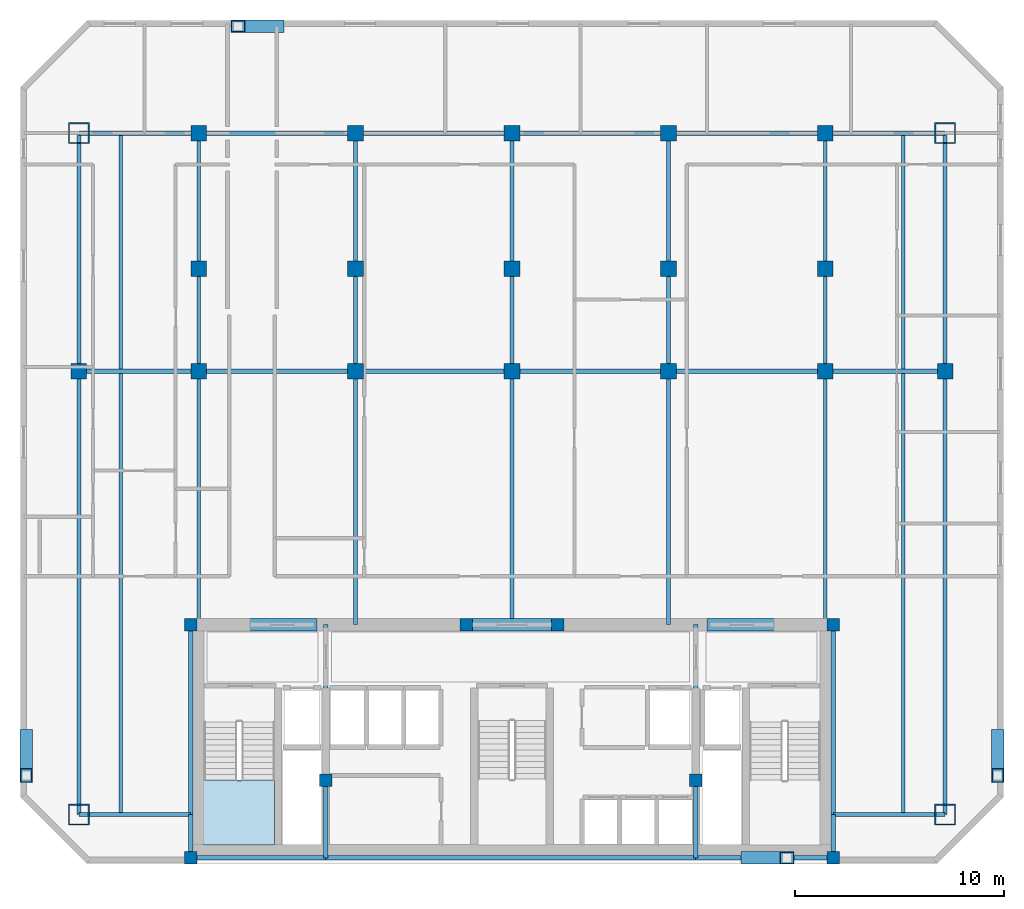
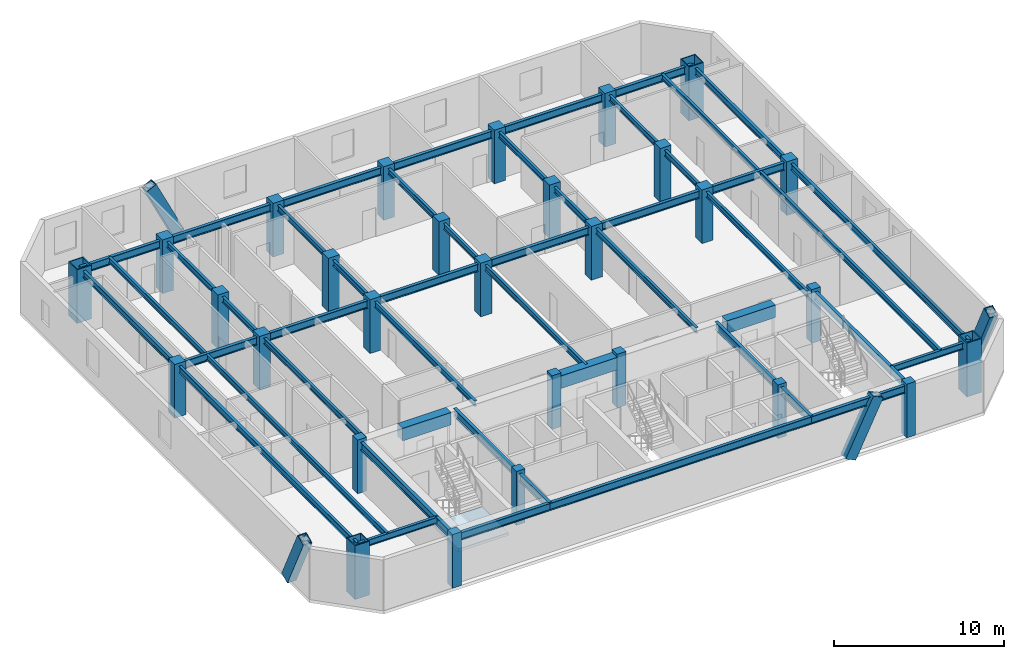
# One storey, part 1 of 7: 46 beams, 29 columns, 4 members, 1 slab, 1 element without a shape of its own.
"""IFC4 building model written with IfcOpenShell, lengths in metres."""

from ifc_helpers import new_model, si_unit, direction, frame, origin, origin_2d, place, context, subcontext, project, spatial, polyline, rectangle, hollow_rectangle, i_section, outline, extrude, material, layer, layer_set, material_profile, profile_set, type_object, element, aggregate, save


model = new_model("IFC4")

# Units and contexts
model_context = context("Model", 3, precision=1e-05, world=origin(), true_north=direction((0.0, 1.0)))
body_context = subcontext(model_context, "Body", "Model", "MODEL_VIEW")
ifc_project = project(units=[si_unit("LENGTHUNIT", "METRE"), si_unit("AREAUNIT", "SQUARE_METRE"), si_unit("VOLUMEUNIT", "CUBIC_METRE"), si_unit("PLANEANGLEUNIT", "RADIAN"), si_unit("MASSUNIT", "GRAM", prefix="KILO")], contexts=[model_context])

# Site, building, storey
site_placement = place(None, origin())
site = spatial("IfcSite", under=ifc_project, at=site_placement, CompositionType="ELEMENT")
building_placement = place(site_placement, origin())
building = spatial("IfcBuilding", under=site, at=building_placement, Name="Ventersveld Concourse Tower", CompositionType="ELEMENT")
storey_placement = place(building_placement, frame((0.0, 0.0, 211.85009765625)))
storey = spatial("IfcBuildingStorey", under=building, at=storey_placement, Name="L52", CompositionType="ELEMENT", Elevation=211.85009765625)

# Columns
ifc_material_1 = material(Name="Concrete C50/60", Category="concrete")
ifc_material_profile_1 = material_profile(ifc_material_1, rectangle(XDim=0.60009765625, YDim=0.60009765625, at=origin_2d()), Name="RC 600x600")
ifc_profile_set_1 = profile_set([ifc_material_profile_1], Name="Concrete C50/60")
column_type_1 = type_object("IfcColumnType", Name="COL-RC600", PredefinedType="COLUMN", material=ifc_profile_set_1)
for number, where, z_axis, x_axis, name in (
    (1, (13.35009765625, 0.280029296875, 0.0), (0.0, 0.0, 1.0), (1.0, 0.0, 0.0), "L52 Core Spine Column CC-SW"),
    (2, (44.14990234375, 0.280029296875, 0.0), (0.0, 0.0, 1.0), (1.0, 0.0, 0.0), "L52 Core Spine Column CC-SE"),
    (3, (13.35009765625, 11.449951171875, 0.0), (0.0, 0.0, 1.0), (1.0, 0.0, 0.0), "L52 Core Spine Column CC-NW"),
    (4, (44.14990234375, 11.449951171875, 0.0), (0.0, 0.0, 1.0), (1.0, 0.0, 0.0), "L52 Core Spine Column CC-NE"),
    (5, (19.820068359375, 4.0, 0.0), (0.0, 0.0, 1.0), (1.0, 0.0, 0.0), "L52 Core Spine Column CM-1"),
    (6, (37.550048828125, 4.0, 0.0), (0.0, 0.0, 1.0), (1.0, 0.0, 0.0), "L52 Core Spine Column CM-2"),
    (7, (26.550048828125, 11.449951171875, 0.0), (0.0, 0.0, 1.0), (1.0, 0.0, 0.0), "L52 Core Spine Column CM-3"),
    (8, (30.949951171875, 11.449951171875, 0.0), (0.0, 0.0, 1.0), (1.0, 0.0, 0.0), "L52 Core Spine Column CM-4"),
):
    element("IfcColumn", number, at=place(storey_placement, frame(where, z_axis=z_axis, x_axis=x_axis)), inside=storey, type_object=column_type_1, Name=name, PredefinedType="COLUMN", context=body_context, shape_type="SweptSolid", body=[
        extrude(rectangle(XDim=0.60009765625, YDim=0.60009765625, at=origin_2d()), origin(), (0.0, 0.0, 1.0), 3.849853515625),
    ])
ifc_material_profile_2 = material_profile(ifc_material_1, rectangle(XDim=0.75, YDim=0.75, at=origin_2d()), Name="RC 750x750")
ifc_profile_set_2 = profile_set([ifc_material_profile_2], Name="Concrete C50/60")
column_type_2 = type_object("IfcColumnType", Name="COL-RC750", PredefinedType="COLUMN", material=ifc_profile_set_2)
for number, where, z_axis, x_axis, name in (
    (9, (8.0, 23.60009765625, 0.0), (0.0, 0.0, 1.0), (1.0, 0.0, 0.0), "L52 Interior Gravity Column X=8.00 Y=23.60"),
    (10, (13.75, 23.60009765625, 0.0), (0.0, 0.0, 1.0), (1.0, 0.0, 0.0), "L52 Interior Gravity Column X=13.75 Y=23.60"),
    (11, (21.25, 23.60009765625, 0.0), (0.0, 0.0, 1.0), (1.0, 0.0, 0.0), "L52 Interior Gravity Column X=21.25 Y=23.60"),
    (12, (28.75, 23.60009765625, 0.0), (0.0, 0.0, 1.0), (1.0, 0.0, 0.0), "L52 Interior Gravity Column X=28.75 Y=23.60"),
    (13, (36.25, 23.60009765625, 0.0), (0.0, 0.0, 1.0), (1.0, 0.0, 0.0), "L52 Interior Gravity Column X=36.25 Y=23.60"),
    (14, (43.75, 23.60009765625, 0.0), (0.0, 0.0, 1.0), (1.0, 0.0, 0.0), "L52 Interior Gravity Column X=43.75 Y=23.60"),
    (15, (49.5, 23.60009765625, 0.0), (0.0, 0.0, 1.0), (1.0, 0.0, 0.0), "L52 Interior Gravity Column X=49.50 Y=23.60"),
    (16, (13.75, 28.5, 0.0), (0.0, 0.0, 1.0), (1.0, 0.0, 0.0), "L52 Upper-North Gravity Column X=13.75 Y=28.50"),
    (17, (21.25, 28.5, 0.0), (0.0, 0.0, 1.0), (1.0, 0.0, 0.0), "L52 Upper-North Gravity Column X=21.25 Y=28.50"),
    (18, (28.75, 28.5, 0.0), (0.0, 0.0, 1.0), (1.0, 0.0, 0.0), "L52 Upper-North Gravity Column X=28.75 Y=28.50"),
    (19, (36.25, 28.5, 0.0), (0.0, 0.0, 1.0), (1.0, 0.0, 0.0), "L52 Upper-North Gravity Column X=36.25 Y=28.50"),
    (20, (43.75, 28.5, 0.0), (0.0, 0.0, 1.0), (1.0, 0.0, 0.0), "L52 Upper-North Gravity Column X=43.75 Y=28.50"),
    (21, (13.75, 35.0, 0.0), (0.0, 0.0, 1.0), (1.0, 0.0, 0.0), "L52 Mid-North Column X=13.75 Y=35.00"),
    (22, (21.25, 35.0, 0.0), (0.0, 0.0, 1.0), (1.0, 0.0, 0.0), "L52 Mid-North Column X=21.25 Y=35.00"),
    (23, (28.75, 35.0, 0.0), (0.0, 0.0, 1.0), (1.0, 0.0, 0.0), "L52 Mid-North Column X=28.75 Y=35.00"),
    (24, (36.25, 35.0, 0.0), (0.0, 0.0, 1.0), (1.0, 0.0, 0.0), "L52 Mid-North Column X=36.25 Y=35.00"),
    (25, (43.75, 35.0, 0.0), (0.0, 0.0, 1.0), (1.0, 0.0, 0.0), "L52 Mid-North Column X=43.75 Y=35.00"),
):
    element("IfcColumn", number, at=place(storey_placement, frame(where, z_axis=z_axis, x_axis=x_axis)), inside=storey, type_object=column_type_2, Name=name, PredefinedType="COLUMN", context=body_context, shape_type="SweptSolid", body=[
        extrude(rectangle(XDim=0.75, YDim=0.75, at=origin_2d()), origin(), (0.0, 0.0, 1.0), 3.849853515625),
    ])
ifc_material_2 = material(Name="Structural steel S460ML", Category="steel")
ifc_material_profile_3 = material_profile(ifc_material_2, hollow_rectangle(XDim=1.0, YDim=1.0, WallThickness=0.06005859375, at=origin_2d()), Name="BOX 1000x1000x60")
ifc_profile_set_3 = profile_set([ifc_material_profile_3], Name="Structural steel S460ML")
column_type_3 = type_object("IfcColumnType", Name="MC-1000", PredefinedType="USERDEFINED", material=ifc_profile_set_3)
for number, where, z_axis, x_axis, name in (
    (26, (8.0, 2.35009765625, 0.0), (0.0, 0.0, 1.0), (1.0, 0.0, 0.0), "L52 Corner Mega-Column MC-SW"),
    (27, (49.5, 2.35009765625, 0.0), (0.0, 0.0, 1.0), (1.0, 0.0, 0.0), "L52 Corner Mega-Column MC-SE"),
    (28, (49.5, 35.0, 0.0), (0.0, 0.0, 1.0), (1.0, 0.0, 0.0), "L52 Corner Mega-Column MC-NE"),
    (29, (8.0, 35.0, 0.0), (0.0, 0.0, 1.0), (1.0, 0.0, 0.0), "L52 Corner Mega-Column MC-NW"),
):
    element("IfcColumn", number, at=place(storey_placement, frame(where, z_axis=z_axis, x_axis=x_axis)), inside=storey, type_object=column_type_3, Name=name, ObjectType="MEGA_COLUMN", PredefinedType="USERDEFINED", context=body_context, shape_type="SweptSolid", body=[
        extrude(hollow_rectangle(XDim=1.0, YDim=1.0, WallThickness=0.06005859375, at=origin_2d()), origin(), (0.0, 0.0, 1.0), 3.849853515625),
    ])

# Beams
ifc_material_3 = material(Name="Structural steel S355J2", Category="steel")
ifc_material_profile_4 = material_profile(ifc_material_3, i_section(OverallWidth=0.177978515625, OverallDepth=0.406494140625, WebThickness=0.0078125, FlangeThickness=0.0126953125, FilletRadius=0.01025390625, at=origin_2d()), Name="UB 406x178x60")
ifc_profile_set_4 = profile_set([ifc_material_profile_4], Name="Structural steel S355J2")
beam_type_1 = type_object("IfcBeamType", Name="BM-UB406", PredefinedType="BEAM", material=ifc_profile_set_4)
beam_1_placement = place(storey_placement, frame((10.0, 2.35009765625, 3.4267578125), z_axis=(0.0, 1.0, 0.0), x_axis=(-1.0, 0.0, 0.0)))
element("IfcBeam", 30, at=beam_1_placement, inside=storey, type_object=beam_type_1, Name="L52 N-S Composite Floor Beam South X=10.00", PredefinedType="BEAM", context=body_context, shape_type="SweptSolid", body=[
    extrude(i_section(OverallWidth=0.177978515625, OverallDepth=0.406494140625, WebThickness=0.0078125, FlangeThickness=0.0126953125, FilletRadius=0.01025390625, at=origin_2d()), origin(), (0.0, 0.0, 1.0), 21.15478515625),
])
beam_2_placement = place(storey_placement, frame((10.0, 23.695068359375, 3.4267578125), z_axis=(0.0, 1.0, 0.0), x_axis=(-1.0, 0.0, 0.0)))
element("IfcBeam", 31, at=beam_2_placement, inside=storey, type_object=beam_type_1, Name="L52 N-S Composite Floor Beam Mid X=10.00", PredefinedType="BEAM", context=body_context, shape_type="SweptSolid", body=[
    extrude(i_section(OverallWidth=0.177978515625, OverallDepth=0.406494140625, WebThickness=0.0078125, FlangeThickness=0.0126953125, FilletRadius=0.01025390625, at=origin_2d()), origin(), (0.0, 0.0, 1.0), 11.304931640625),
])
beam_3_placement = place(storey_placement, frame((13.75, 11.449951171875, 3.4267578125), z_axis=(0.0, 1.0, 0.0), x_axis=(-1.0, 0.0, 0.0)))
element("IfcBeam", 32, at=beam_3_placement, inside=storey, type_object=beam_type_1, Name="L52 N-S Composite Floor Beam South X=13.75", PredefinedType="BEAM", context=body_context, shape_type="SweptSolid", body=[
    extrude(i_section(OverallWidth=0.177978515625, OverallDepth=0.406494140625, WebThickness=0.0078125, FlangeThickness=0.0126953125, FilletRadius=0.01025390625, at=origin_2d()), origin(), (0.0, 0.0, 1.0), 12.150146484375),
])
beam_4_placement = place(storey_placement, frame((13.75, 23.60009765625, 3.4267578125), z_axis=(0.0, 1.0, 0.0), x_axis=(-1.0, 0.0, 0.0)))
element("IfcBeam", 33, at=beam_4_placement, inside=storey, type_object=beam_type_1, Name="L52 N-S Composite Floor Beam Mid X=13.75", PredefinedType="BEAM", context=body_context, shape_type="SweptSolid", body=[
    extrude(i_section(OverallWidth=0.177978515625, OverallDepth=0.406494140625, WebThickness=0.0078125, FlangeThickness=0.0126953125, FilletRadius=0.01025390625, at=origin_2d()), origin(), (0.0, 0.0, 1.0), 11.39990234375),
])
beam_5_placement = place(storey_placement, frame((21.25, 11.449951171875, 3.4267578125), z_axis=(0.0, 1.0, 0.0), x_axis=(-1.0, 0.0, 0.0)))
element("IfcBeam", 34, at=beam_5_placement, inside=storey, type_object=beam_type_1, Name="L52 N-S Composite Floor Beam South X=21.25", PredefinedType="BEAM", context=body_context, shape_type="SweptSolid", body=[
    extrude(i_section(OverallWidth=0.177978515625, OverallDepth=0.406494140625, WebThickness=0.0078125, FlangeThickness=0.0126953125, FilletRadius=0.01025390625, at=origin_2d()), origin(), (0.0, 0.0, 1.0), 12.150146484375),
])
beam_6_placement = place(storey_placement, frame((21.25, 23.60009765625, 3.4267578125), z_axis=(0.0, 1.0, 0.0), x_axis=(-1.0, 0.0, 0.0)))
element("IfcBeam", 35, at=beam_6_placement, inside=storey, type_object=beam_type_1, Name="L52 N-S Composite Floor Beam Mid X=21.25", PredefinedType="BEAM", context=body_context, shape_type="SweptSolid", body=[
    extrude(i_section(OverallWidth=0.177978515625, OverallDepth=0.406494140625, WebThickness=0.0078125, FlangeThickness=0.0126953125, FilletRadius=0.01025390625, at=origin_2d()), origin(), (0.0, 0.0, 1.0), 11.39990234375),
])
beam_7_placement = place(storey_placement, frame((28.75, 11.449951171875, 3.4267578125), z_axis=(0.0, 1.0, 0.0), x_axis=(-1.0, 0.0, 0.0)))
element("IfcBeam", 36, at=beam_7_placement, inside=storey, type_object=beam_type_1, Name="L52 N-S Composite Floor Beam South X=28.75", PredefinedType="BEAM", context=body_context, shape_type="SweptSolid", body=[
    extrude(i_section(OverallWidth=0.177978515625, OverallDepth=0.406494140625, WebThickness=0.0078125, FlangeThickness=0.0126953125, FilletRadius=0.01025390625, at=origin_2d()), origin(), (0.0, 0.0, 1.0), 12.150146484375),
])
beam_8_placement = place(storey_placement, frame((28.75, 23.60009765625, 3.4267578125), z_axis=(0.0, 1.0, 0.0), x_axis=(-1.0, 0.0, 0.0)))
element("IfcBeam", 37, at=beam_8_placement, inside=storey, type_object=beam_type_1, Name="L52 N-S Composite Floor Beam Mid X=28.75", PredefinedType="BEAM", context=body_context, shape_type="SweptSolid", body=[
    extrude(i_section(OverallWidth=0.177978515625, OverallDepth=0.406494140625, WebThickness=0.0078125, FlangeThickness=0.0126953125, FilletRadius=0.01025390625, at=origin_2d()), origin(), (0.0, 0.0, 1.0), 11.39990234375),
])
beam_9_placement = place(storey_placement, frame((36.25, 11.449951171875, 3.4267578125), z_axis=(0.0, 1.0, 0.0), x_axis=(-1.0, 0.0, 0.0)))
element("IfcBeam", 38, at=beam_9_placement, inside=storey, type_object=beam_type_1, Name="L52 N-S Composite Floor Beam South X=36.25", PredefinedType="BEAM", context=body_context, shape_type="SweptSolid", body=[
    extrude(i_section(OverallWidth=0.177978515625, OverallDepth=0.406494140625, WebThickness=0.0078125, FlangeThickness=0.0126953125, FilletRadius=0.01025390625, at=origin_2d()), origin(), (0.0, 0.0, 1.0), 12.150146484375),
])
beam_10_placement = place(storey_placement, frame((36.25, 23.60009765625, 3.4267578125), z_axis=(0.0, 1.0, 0.0), x_axis=(-1.0, 0.0, 0.0)))
element("IfcBeam", 39, at=beam_10_placement, inside=storey, type_object=beam_type_1, Name="L52 N-S Composite Floor Beam Mid X=36.25", PredefinedType="BEAM", context=body_context, shape_type="SweptSolid", body=[
    extrude(i_section(OverallWidth=0.177978515625, OverallDepth=0.406494140625, WebThickness=0.0078125, FlangeThickness=0.0126953125, FilletRadius=0.01025390625, at=origin_2d()), origin(), (0.0, 0.0, 1.0), 11.39990234375),
])
beam_11_placement = place(storey_placement, frame((43.75, 11.449951171875, 3.4267578125), z_axis=(0.0, 1.0, 0.0), x_axis=(-1.0, 0.0, 0.0)))
element("IfcBeam", 40, at=beam_11_placement, inside=storey, type_object=beam_type_1, Name="L52 N-S Composite Floor Beam South X=43.75", PredefinedType="BEAM", context=body_context, shape_type="SweptSolid", body=[
    extrude(i_section(OverallWidth=0.177978515625, OverallDepth=0.406494140625, WebThickness=0.0078125, FlangeThickness=0.0126953125, FilletRadius=0.01025390625, at=origin_2d()), origin(), (0.0, 0.0, 1.0), 12.150146484375),
])
beam_12_placement = place(storey_placement, frame((43.75, 23.60009765625, 3.4267578125), z_axis=(0.0, 1.0, 0.0), x_axis=(-1.0, 0.0, 0.0)))
element("IfcBeam", 41, at=beam_12_placement, inside=storey, type_object=beam_type_1, Name="L52 N-S Composite Floor Beam Mid X=43.75", PredefinedType="BEAM", context=body_context, shape_type="SweptSolid", body=[
    extrude(i_section(OverallWidth=0.177978515625, OverallDepth=0.406494140625, WebThickness=0.0078125, FlangeThickness=0.0126953125, FilletRadius=0.01025390625, at=origin_2d()), origin(), (0.0, 0.0, 1.0), 11.39990234375),
])
beam_13_placement = place(storey_placement, frame((47.5, 2.35009765625, 3.4267578125), z_axis=(0.0, 1.0, 0.0), x_axis=(-1.0, 0.0, 0.0)))
element("IfcBeam", 42, at=beam_13_placement, inside=storey, type_object=beam_type_1, Name="L52 N-S Composite Floor Beam South X=47.50", PredefinedType="BEAM", context=body_context, shape_type="SweptSolid", body=[
    extrude(i_section(OverallWidth=0.177978515625, OverallDepth=0.406494140625, WebThickness=0.0078125, FlangeThickness=0.0126953125, FilletRadius=0.01025390625, at=origin_2d()), origin(), (0.0, 0.0, 1.0), 21.15478515625),
])
beam_14_placement = place(storey_placement, frame((47.5, 23.695068359375, 3.4267578125), z_axis=(0.0, 1.0, 0.0), x_axis=(-1.0, 0.0, 0.0)))
element("IfcBeam", 43, at=beam_14_placement, inside=storey, type_object=beam_type_1, Name="L52 N-S Composite Floor Beam Mid X=47.50", PredefinedType="BEAM", context=body_context, shape_type="SweptSolid", body=[
    extrude(i_section(OverallWidth=0.177978515625, OverallDepth=0.406494140625, WebThickness=0.0078125, FlangeThickness=0.0126953125, FilletRadius=0.01025390625, at=origin_2d()), origin(), (0.0, 0.0, 1.0), 11.304931640625),
])
ifc_material_profile_5 = material_profile(ifc_material_1, rectangle(XDim=0.60009765625, YDim=0.89990234375, at=origin_2d()), Name="RC 600x900")
ifc_profile_set_5 = profile_set([ifc_material_profile_5], Name="Concrete C50/60")
beam_type_2 = type_object("IfcBeamType", Name="CB-RC600x900U", PredefinedType="LINTEL", material=ifc_profile_set_5)
beam_15_placement = place(storey_placement, frame((16.10009765625, 11.449951171875, 3.179931640625), z_axis=(1.0, 0.0, 0.0), x_axis=(0.0, 1.0, 0.0)))
element("IfcBeam", 44, at=beam_15_placement, inside=storey, type_object=beam_type_2, Name="L52 Core Coupling Lintel Beam 1", PredefinedType="LINTEL", context=body_context, shape_type="SweptSolid", body=[
    extrude(rectangle(XDim=0.60009765625, YDim=0.89990234375, at=origin_2d()), origin(), (0.0, 0.0, 1.0), 3.2998046875),
])
beam_16_placement = place(storey_placement, frame((26.5, 11.449951171875, 3.179931640625), z_axis=(1.0, 0.0, 0.0), x_axis=(0.0, 1.0, 0.0)))
element("IfcBeam", 45, at=beam_16_placement, inside=storey, type_object=beam_type_2, Name="L52 Core Coupling Lintel Beam 2", PredefinedType="LINTEL", context=body_context, shape_type="SweptSolid", body=[
    extrude(rectangle(XDim=0.60009765625, YDim=0.89990234375, at=origin_2d()), origin(), (0.0, 0.0, 1.0), 4.5),
])
beam_17_placement = place(storey_placement, frame((38.10009765625, 11.449951171875, 3.179931640625), z_axis=(1.0, 0.0, 0.0), x_axis=(0.0, 1.0, 0.0)))
element("IfcBeam", 46, at=beam_17_placement, inside=storey, type_object=beam_type_2, Name="L52 Core Coupling Lintel Beam 3", PredefinedType="LINTEL", context=body_context, shape_type="SweptSolid", body=[
    extrude(rectangle(XDim=0.60009765625, YDim=0.89990234375, at=origin_2d()), origin(), (0.0, 0.0, 1.0), 3.2998046875),
])
ifc_material_profile_6 = material_profile(ifc_material_3, i_section(OverallWidth=0.2119140625, OverallDepth=0.54443359375, WebThickness=0.0126953125, FlangeThickness=0.021240234375, FilletRadius=0.0126953125, at=origin_2d()), Name="UB 533x210x122")
ifc_profile_set_6 = profile_set([ifc_material_profile_6], Name="Structural steel S355J2")
beam_type_3 = type_object("IfcBeamType", Name="GRD-UB533H", PredefinedType="T_BEAM", material=ifc_profile_set_6)
beam_18_placement = place(storey_placement, frame((13.35009765625, 0.280029296875, 3.357666015625), z_axis=(0.0, 1.0, 0.0), x_axis=(-1.0, 0.0, 0.0)))
element("IfcBeam", 47, at=beam_18_placement, inside=storey, type_object=beam_type_3, Name="L52 Core West Tie Beam S", PredefinedType="T_BEAM", context=body_context, shape_type="SweptSolid", body=[
    extrude(i_section(OverallWidth=0.2119140625, OverallDepth=0.54443359375, WebThickness=0.0126953125, FlangeThickness=0.021240234375, FilletRadius=0.0126953125, at=origin_2d()), origin(), (0.0, 0.0, 1.0), 2.070068359375),
])
beam_19_placement = place(storey_placement, frame((13.35009765625, 2.35009765625, 3.357666015625), z_axis=(0.0, 1.0, 0.0), x_axis=(-1.0, 0.0, 0.0)))
element("IfcBeam", 48, at=beam_19_placement, inside=storey, type_object=beam_type_3, Name="L52 Core West Tie Beam N", PredefinedType="T_BEAM", context=body_context, shape_type="SweptSolid", body=[
    extrude(i_section(OverallWidth=0.2119140625, OverallDepth=0.54443359375, WebThickness=0.0126953125, FlangeThickness=0.021240234375, FilletRadius=0.0126953125, at=origin_2d()), origin(), (0.0, 0.0, 1.0), 9.099853515625),
])
beam_20_placement = place(storey_placement, frame((44.14990234375, 0.280029296875, 3.357666015625), z_axis=(0.0, 1.0, 0.0), x_axis=(-1.0, 0.0, 0.0)))
element("IfcBeam", 49, at=beam_20_placement, inside=storey, type_object=beam_type_3, Name="L52 Core East Tie Beam S", PredefinedType="T_BEAM", context=body_context, shape_type="SweptSolid", body=[
    extrude(i_section(OverallWidth=0.2119140625, OverallDepth=0.54443359375, WebThickness=0.0126953125, FlangeThickness=0.021240234375, FilletRadius=0.0126953125, at=origin_2d()), origin(), (0.0, 0.0, 1.0), 2.070068359375),
])
beam_21_placement = place(storey_placement, frame((44.14990234375, 2.35009765625, 3.357666015625), z_axis=(0.0, 1.0, 0.0), x_axis=(-1.0, 0.0, 0.0)))
element("IfcBeam", 50, at=beam_21_placement, inside=storey, type_object=beam_type_3, Name="L52 Core East Tie Beam N", PredefinedType="T_BEAM", context=body_context, shape_type="SweptSolid", body=[
    extrude(i_section(OverallWidth=0.2119140625, OverallDepth=0.54443359375, WebThickness=0.0126953125, FlangeThickness=0.021240234375, FilletRadius=0.0126953125, at=origin_2d()), origin(), (0.0, 0.0, 1.0), 9.099853515625),
])
beam_22_placement = place(storey_placement, frame((13.35009765625, 0.280029296875, 3.357666015625), z_axis=(1.0, 0.0, 0.0), x_axis=(0.0, 1.0, 0.0)))
element("IfcBeam", 51, at=beam_22_placement, inside=storey, type_object=beam_type_3, Name="L52 Core South Tie Beam W", PredefinedType="T_BEAM", context=body_context, shape_type="SweptSolid", body=[
    extrude(i_section(OverallWidth=0.2119140625, OverallDepth=0.54443359375, WebThickness=0.0126953125, FlangeThickness=0.021240234375, FilletRadius=0.0126953125, at=origin_2d()), origin(), (0.0, 0.0, 1.0), 6.469970703125),
])
beam_23_placement = place(storey_placement, frame((19.820068359375, 0.280029296875, 3.357666015625), z_axis=(1.0, 0.0, 0.0), x_axis=(0.0, 1.0, 0.0)))
element("IfcBeam", 52, at=beam_23_placement, inside=storey, type_object=beam_type_3, Name="L52 Core South Tie Beam C", PredefinedType="T_BEAM", context=body_context, shape_type="SweptSolid", body=[
    extrude(i_section(OverallWidth=0.2119140625, OverallDepth=0.54443359375, WebThickness=0.0126953125, FlangeThickness=0.021240234375, FilletRadius=0.0126953125, at=origin_2d()), origin(), (0.0, 0.0, 1.0), 17.72998046875),
])
beam_24_placement = place(storey_placement, frame((37.550048828125, 0.280029296875, 3.357666015625), z_axis=(1.0, 0.0, 0.0), x_axis=(0.0, 1.0, 0.0)))
element("IfcBeam", 53, at=beam_24_placement, inside=storey, type_object=beam_type_3, Name="L52 Core South Tie Beam E", PredefinedType="T_BEAM", context=body_context, shape_type="SweptSolid", body=[
    extrude(i_section(OverallWidth=0.2119140625, OverallDepth=0.54443359375, WebThickness=0.0126953125, FlangeThickness=0.021240234375, FilletRadius=0.0126953125, at=origin_2d()), origin(), (0.0, 0.0, 1.0), 6.599853515625),
])
beam_25_placement = place(storey_placement, frame((19.820068359375, 0.280029296875, 3.357666015625), z_axis=(0.0, 1.0, 0.0), x_axis=(-1.0, 0.0, 0.0)))
element("IfcBeam", 54, at=beam_25_placement, inside=storey, type_object=beam_type_3, Name="L52 Core Spine N-S Tie Beam W1", PredefinedType="T_BEAM", context=body_context, shape_type="SweptSolid", body=[
    extrude(i_section(OverallWidth=0.2119140625, OverallDepth=0.54443359375, WebThickness=0.0126953125, FlangeThickness=0.021240234375, FilletRadius=0.0126953125, at=origin_2d()), origin(), (0.0, 0.0, 1.0), 3.719970703125),
])
beam_26_placement = place(storey_placement, frame((19.820068359375, 4.0, 3.357666015625), z_axis=(0.0, 1.0, 0.0), x_axis=(-1.0, 0.0, 0.0)))
element("IfcBeam", 55, at=beam_26_placement, inside=storey, type_object=beam_type_3, Name="L52 Core Spine N-S Tie Beam W2", PredefinedType="T_BEAM", context=body_context, shape_type="SweptSolid", body=[
    extrude(i_section(OverallWidth=0.2119140625, OverallDepth=0.54443359375, WebThickness=0.0126953125, FlangeThickness=0.021240234375, FilletRadius=0.0126953125, at=origin_2d()), origin(), (0.0, 0.0, 1.0), 7.449951171875),
])
beam_27_placement = place(storey_placement, frame((37.550048828125, 0.280029296875, 3.357666015625), z_axis=(0.0, 1.0, 0.0), x_axis=(-1.0, 0.0, 0.0)))
element("IfcBeam", 56, at=beam_27_placement, inside=storey, type_object=beam_type_3, Name="L52 Core Spine N-S Tie Beam E1", PredefinedType="T_BEAM", context=body_context, shape_type="SweptSolid", body=[
    extrude(i_section(OverallWidth=0.2119140625, OverallDepth=0.54443359375, WebThickness=0.0126953125, FlangeThickness=0.021240234375, FilletRadius=0.0126953125, at=origin_2d()), origin(), (0.0, 0.0, 1.0), 3.719970703125),
])
beam_28_placement = place(storey_placement, frame((37.550048828125, 4.0, 3.357666015625), z_axis=(0.0, 1.0, 0.0), x_axis=(-1.0, 0.0, 0.0)))
element("IfcBeam", 57, at=beam_28_placement, inside=storey, type_object=beam_type_3, Name="L52 Core Spine N-S Tie Beam E2", PredefinedType="T_BEAM", context=body_context, shape_type="SweptSolid", body=[
    extrude(i_section(OverallWidth=0.2119140625, OverallDepth=0.54443359375, WebThickness=0.0126953125, FlangeThickness=0.021240234375, FilletRadius=0.0126953125, at=origin_2d()), origin(), (0.0, 0.0, 1.0), 7.449951171875),
])
beam_29_placement = place(storey_placement, frame((8.0, 23.60009765625, 3.357666015625), z_axis=(1.0, 0.0, 0.0), x_axis=(0.0, 1.0, 0.0)))
element("IfcBeam", 58, at=beam_29_placement, inside=storey, type_object=beam_type_3, Name="L52 Primary E-W Grid Girder Y=23.60 #1", PredefinedType="T_BEAM", context=body_context, shape_type="SweptSolid", body=[
    extrude(i_section(OverallWidth=0.2119140625, OverallDepth=0.54443359375, WebThickness=0.0126953125, FlangeThickness=0.021240234375, FilletRadius=0.0126953125, at=origin_2d()), origin(), (0.0, 0.0, 1.0), 5.75),
])
for number, where, z_axis, x_axis, name in (
    (59, (13.75, 23.60009765625, 3.357666015625), (1.0, 0.0, 0.0), (0.0, 1.0, 0.0), "L52 Primary E-W Grid Girder Y=23.60 #2"),
    (60, (21.25, 23.60009765625, 3.357666015625), (1.0, 0.0, 0.0), (0.0, 1.0, 0.0), "L52 Primary E-W Grid Girder Y=23.60 #3"),
    (61, (28.75, 23.60009765625, 3.357666015625), (1.0, 0.0, 0.0), (0.0, 1.0, 0.0), "L52 Primary E-W Grid Girder Y=23.60 #4"),
    (62, (36.25, 23.60009765625, 3.357666015625), (1.0, 0.0, 0.0), (0.0, 1.0, 0.0), "L52 Primary E-W Grid Girder Y=23.60 #5"),
):
    element("IfcBeam", number, at=place(storey_placement, frame(where, z_axis=z_axis, x_axis=x_axis)), inside=storey, type_object=beam_type_3, Name=name, PredefinedType="T_BEAM", context=body_context, shape_type="SweptSolid", body=[
        extrude(i_section(OverallWidth=0.2119140625, OverallDepth=0.54443359375, WebThickness=0.0126953125, FlangeThickness=0.021240234375, FilletRadius=0.0126953125, at=origin_2d()), origin(), (0.0, 0.0, 1.0), 7.5),
    ])
for number, where, z_axis, x_axis, name in (
    (63, (43.75, 23.60009765625, 3.357666015625), (1.0, 0.0, 0.0), (0.0, 1.0, 0.0), "L52 Primary E-W Grid Girder Y=23.60 #6"),
    (64, (8.0, 35.0, 3.357666015625), (1.0, 0.0, 0.0), (0.0, 1.0, 0.0), "L52 E-W Grid Girder Y=35.00 #1"),
):
    element("IfcBeam", number, at=place(storey_placement, frame(where, z_axis=z_axis, x_axis=x_axis)), inside=storey, type_object=beam_type_3, Name=name, PredefinedType="T_BEAM", context=body_context, shape_type="SweptSolid", body=[
        extrude(i_section(OverallWidth=0.2119140625, OverallDepth=0.54443359375, WebThickness=0.0126953125, FlangeThickness=0.021240234375, FilletRadius=0.0126953125, at=origin_2d()), origin(), (0.0, 0.0, 1.0), 5.75),
    ])
for number, where, z_axis, x_axis, name in (
    (65, (13.75, 35.0, 3.357666015625), (1.0, 0.0, 0.0), (0.0, 1.0, 0.0), "L52 E-W Grid Girder Y=35.00 #2"),
    (66, (21.25, 35.0, 3.357666015625), (1.0, 0.0, 0.0), (0.0, 1.0, 0.0), "L52 E-W Grid Girder Y=35.00 #3"),
    (67, (28.75, 35.0, 3.357666015625), (1.0, 0.0, 0.0), (0.0, 1.0, 0.0), "L52 E-W Grid Girder Y=35.00 #4"),
    (68, (36.25, 35.0, 3.357666015625), (1.0, 0.0, 0.0), (0.0, 1.0, 0.0), "L52 E-W Grid Girder Y=35.00 #5"),
):
    element("IfcBeam", number, at=place(storey_placement, frame(where, z_axis=z_axis, x_axis=x_axis)), inside=storey, type_object=beam_type_3, Name=name, PredefinedType="T_BEAM", context=body_context, shape_type="SweptSolid", body=[
        extrude(i_section(OverallWidth=0.2119140625, OverallDepth=0.54443359375, WebThickness=0.0126953125, FlangeThickness=0.021240234375, FilletRadius=0.0126953125, at=origin_2d()), origin(), (0.0, 0.0, 1.0), 7.5),
    ])
beam_30_placement = place(storey_placement, frame((43.75, 35.0, 3.357666015625), z_axis=(1.0, 0.0, 0.0), x_axis=(0.0, 1.0, 0.0)))
element("IfcBeam", 69, at=beam_30_placement, inside=storey, type_object=beam_type_3, Name="L52 E-W Grid Girder Y=35.00 #6", PredefinedType="T_BEAM", context=body_context, shape_type="SweptSolid", body=[
    extrude(i_section(OverallWidth=0.2119140625, OverallDepth=0.54443359375, WebThickness=0.0126953125, FlangeThickness=0.021240234375, FilletRadius=0.0126953125, at=origin_2d()), origin(), (0.0, 0.0, 1.0), 5.75),
])

# Members
ifc_material_4 = material(Name="Structural steel S355ML", Category="steel")
ifc_material_profile_7 = material_profile(ifc_material_4, hollow_rectangle(XDim=0.60009765625, YDim=0.75, WallThickness=0.0400390625, at=origin_2d()), Name="BOX 750x600x40")
ifc_profile_set_7 = profile_set([ifc_material_profile_7], Name="Structural steel S355ML")
member_type = type_object("IfcMemberType", Name="MB-750x600", PredefinedType="BRACE", material=ifc_profile_set_7)
for number, where, z_axis, x_axis, name in (
    (70, (17.5, 40.1201171875, -0.22021484375), (-0.437839464193, 0.0, 0.899053170616), (0.0, -1.0, 0.0), "L52 Exterior Mega-Brace N (Module M12)"),
    (71, (40.050048828125, 0.280029296875, -0.22021484375), (0.437839464193, 0.0, 0.899053170616), (0.0, 1.0, 0.0), "L52 Exterior Mega-Brace S (Module M12)"),
    (72, (5.47998046875, 6.10009765625, -0.22021484375), (0.0, -0.437839464193, 0.899053170616), (1.0, 0.0, 0.0), "L52 Exterior Mega-Brace W (Module M12)"),
    (73, (52.02001953125, 6.10009765625, -0.22021484375), (0.0, -0.437839464193, 0.899053170616), (1.0, 0.0, 0.0), "L52 Exterior Mega-Brace E (Module M12)"),
):
    element("IfcMember", number, at=place(storey_placement, frame(where, z_axis=z_axis, x_axis=x_axis)), inside=storey, type_object=member_type, Name=name, PredefinedType="BRACE", context=body_context, shape_type="SweptSolid", body=[
        extrude(hollow_rectangle(XDim=0.60009765625, YDim=0.75, WallThickness=0.0400390625, at=origin_2d()), origin(), (0.0, 0.0, 1.0), 4.282470703125),
    ])

# Beams
ifc_material_profile_8 = material_profile(ifc_material_3, i_section(OverallWidth=0.19140625, OverallDepth=0.4599609375, WebThickness=0.010009765625, FlangeThickness=0.01611328125, FilletRadius=0.01025390625, at=origin_2d()), Name="UB 457x191x82")
ifc_profile_set_8 = profile_set([ifc_material_profile_8], Name="Structural steel S355J2")
beam_type_4 = type_object("IfcBeamType", Name="SPD-UB457", PredefinedType="SPANDREL", material=ifc_profile_set_8)
for number, where, z_axis, x_axis, name in (
    (74, (8.0, 2.35009765625, 3.39990234375), (1.0, 0.0, 0.0), (0.0, 1.0, 0.0), "L52 SW Spandrel Beam"),
    (75, (44.14990234375, 2.35009765625, 3.39990234375), (1.0, 0.0, 0.0), (0.0, 1.0, 0.0), "L52 SE Spandrel Beam"),
):
    element("IfcBeam", number, at=place(storey_placement, frame(where, z_axis=z_axis, x_axis=x_axis)), inside=storey, type_object=beam_type_4, Name=name, PredefinedType="SPANDREL", context=body_context, shape_type="SweptSolid", body=[
        extrude(i_section(OverallWidth=0.19140625, OverallDepth=0.4599609375, WebThickness=0.010009765625, FlangeThickness=0.01611328125, FilletRadius=0.01025390625, at=origin_2d()), origin(), (0.0, 0.0, 1.0), 5.35009765625),
    ])
beam_31_placement = place(storey_placement, frame((8.0, 2.35009765625, 3.39990234375), z_axis=(0.0, 1.0, 0.0), x_axis=(-1.0, 0.0, 0.0)))
element("IfcBeam", 76, at=beam_31_placement, inside=storey, type_object=beam_type_4, Name="L52 West Spandrel Beam S", PredefinedType="SPANDREL", context=body_context, shape_type="SweptSolid", body=[
    extrude(i_section(OverallWidth=0.19140625, OverallDepth=0.4599609375, WebThickness=0.010009765625, FlangeThickness=0.01611328125, FilletRadius=0.01025390625, at=origin_2d()), origin(), (0.0, 0.0, 1.0), 21.25),
])
beam_32_placement = place(storey_placement, frame((8.0, 23.60009765625, 3.39990234375), z_axis=(0.0, 1.0, 0.0), x_axis=(-1.0, 0.0, 0.0)))
element("IfcBeam", 77, at=beam_32_placement, inside=storey, type_object=beam_type_4, Name="L52 West Spandrel Beam N", PredefinedType="SPANDREL", context=body_context, shape_type="SweptSolid", body=[
    extrude(i_section(OverallWidth=0.19140625, OverallDepth=0.4599609375, WebThickness=0.010009765625, FlangeThickness=0.01611328125, FilletRadius=0.01025390625, at=origin_2d()), origin(), (0.0, 0.0, 1.0), 11.39990234375),
])
beam_33_placement = place(storey_placement, frame((49.5, 2.35009765625, 3.39990234375), z_axis=(0.0, 1.0, 0.0), x_axis=(-1.0, 0.0, 0.0)))
element("IfcBeam", 78, at=beam_33_placement, inside=storey, type_object=beam_type_4, Name="L52 East Spandrel Beam S", PredefinedType="SPANDREL", context=body_context, shape_type="SweptSolid", body=[
    extrude(i_section(OverallWidth=0.19140625, OverallDepth=0.4599609375, WebThickness=0.010009765625, FlangeThickness=0.01611328125, FilletRadius=0.01025390625, at=origin_2d()), origin(), (0.0, 0.0, 1.0), 21.25),
])
beam_34_placement = place(storey_placement, frame((49.5, 23.60009765625, 3.39990234375), z_axis=(0.0, 1.0, 0.0), x_axis=(-1.0, 0.0, 0.0)))
element("IfcBeam", 79, at=beam_34_placement, inside=storey, type_object=beam_type_4, Name="L52 East Spandrel Beam N", PredefinedType="SPANDREL", context=body_context, shape_type="SweptSolid", body=[
    extrude(i_section(OverallWidth=0.19140625, OverallDepth=0.4599609375, WebThickness=0.010009765625, FlangeThickness=0.01611328125, FilletRadius=0.01025390625, at=origin_2d()), origin(), (0.0, 0.0, 1.0), 11.39990234375),
])

# Stair, slab
stair_type = type_object("IfcStairType", Name="ST-DOG-160", PredefinedType="HALF_TURN_STAIR", material=ifc_material_1)
stair_placement = place(storey_placement, origin())
stair = element("IfcStair", 80, at=stair_placement, inside=storey, type_object=stair_type, Name="L52 Protected Tower Escape Stair ST-01", PredefinedType="HALF_TURN_STAIR")
ifc_layer = layer(ifc_material_1, 0.199951171875)
ifc_layer_set = layer_set([ifc_layer], Name="Concrete C50/60")
slab_type = type_object("IfcSlabType", Name="SL-LND-200", PredefinedType="LANDING", material=ifc_layer_set)
slab_placement = place(storey_placement, frame((0.0, 0.0, 1.724853515625)))
slab = element("IfcSlab", 81, at=slab_placement, type_object=slab_type, Name="ST-01 landing 1", PredefinedType="LANDING", context=body_context, shape_type="SweptSolid", body=[
    extrude(outline(polyline([(13.97998046875, 4.0), (13.97998046875, 0.89990234375), (17.3798828125, 0.89990234375), (17.3798828125, 4.0), (13.97998046875, 4.0)])), origin(), (0.0, 0.0, 1.0), 0.199951171875),
])
aggregate(stair, [slab])

save(model, "model.ifc")
